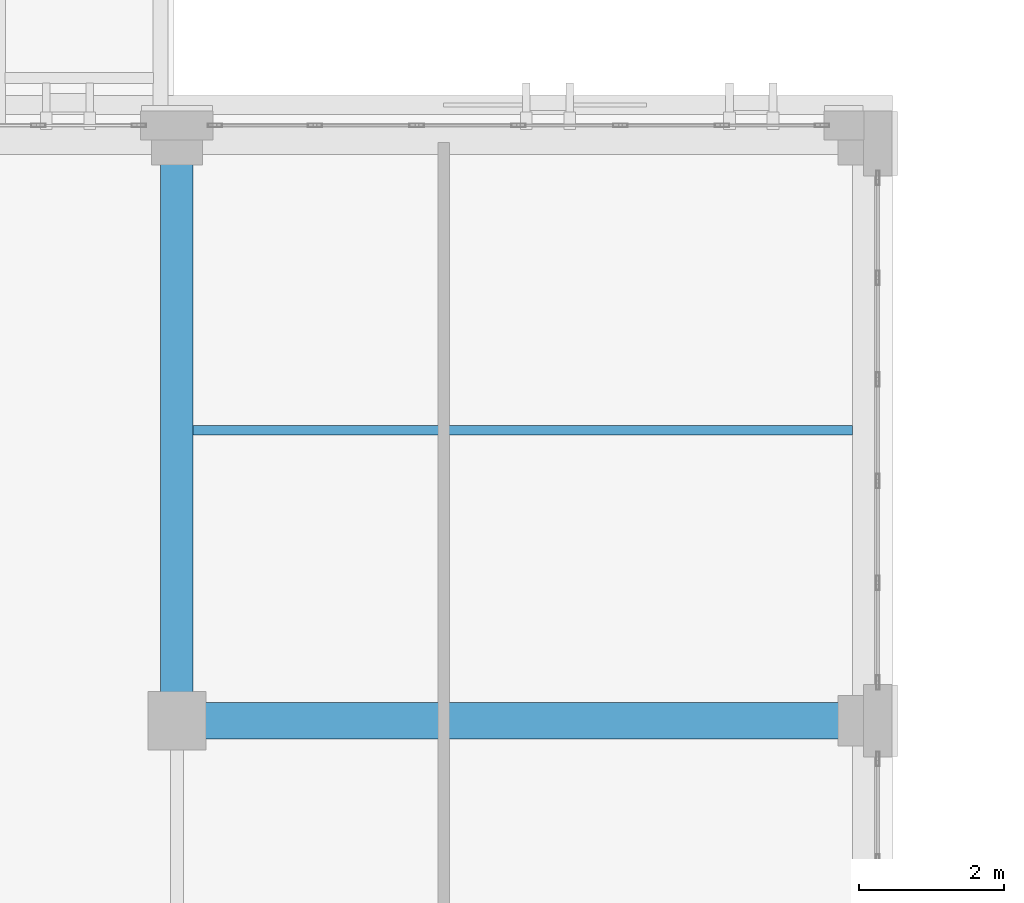
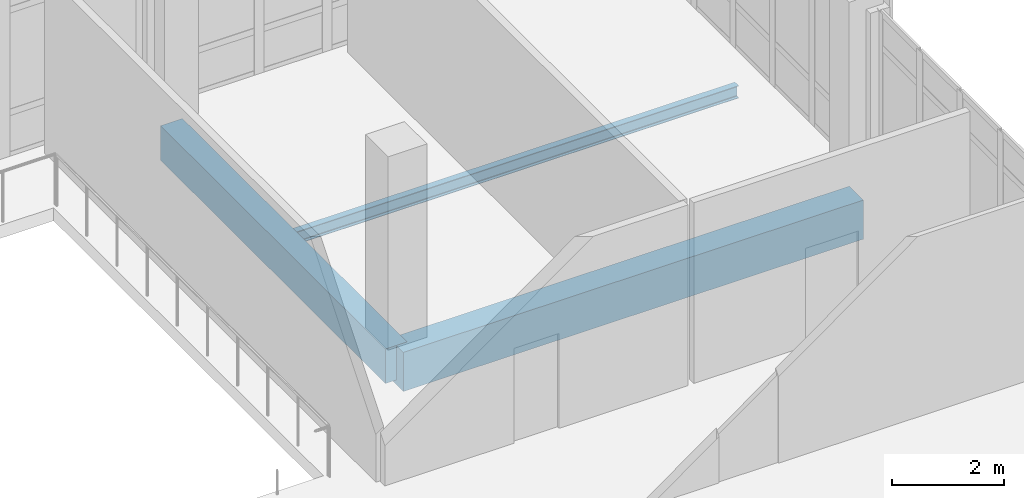
# One storey, part 49 of 158: 3 beams.
"""IFC4 building model written with IfcOpenShell, lengths in metres."""

from ifc_helpers import new_model, si_unit, direction, frame, origin, origin_2d, place, context, subcontext, project, spatial, rectangle, i_section, extrude, material, material_profile, profile_set, type_object, element, save


model = new_model("IFC4")

# Units and contexts
model_context = context("Model", 3, precision=1e-05, world=origin(), true_north=direction((0.0, 1.0)))
body_context = subcontext(model_context, "Body", "Model", "MODEL_VIEW")
ifc_project = project(units=[si_unit("LENGTHUNIT", "METRE"), si_unit("AREAUNIT", "SQUARE_METRE"), si_unit("VOLUMEUNIT", "CUBIC_METRE"), si_unit("PLANEANGLEUNIT", "RADIAN"), si_unit("MASSUNIT", "GRAM", prefix="KILO")], contexts=[model_context])

# Site, building, storey
site_placement = place(None, origin())
site = spatial("IfcSite", under=ifc_project, at=site_placement, CompositionType="ELEMENT")
building_placement = place(site_placement, origin())
building = spatial("IfcBuilding", under=site, at=building_placement, Name="Qalavern Law Courts", CompositionType="ELEMENT")
storey_placement = place(building_placement, frame((0.0, 0.0, 18.60009765625)))
storey = spatial("IfcBuildingStorey", under=building, at=storey_placement, Name="L04", CompositionType="ELEMENT", Elevation=18.60009765625)

# Beams
ifc_material_1 = material(Name="Concrete C40/50", Category="concrete")
ifc_material_profile_1 = material_profile(ifc_material_1, rectangle(XDim=0.449951171875, YDim=0.75, at=origin_2d()), Name="RC 450x750")
ifc_profile_set_1 = profile_set([ifc_material_profile_1], Name="Concrete C40/50")
beam_type_1 = type_object("IfcBeamType", Name="STR-BM-RC450x750", PredefinedType="BEAM", material=ifc_profile_set_1)
beam_1_placement = place(storey_placement, frame((91.345703125, 22.0, -0.655029296875), z_axis=(0.0, 1.0, 0.0), x_axis=(-1.0, 0.0, 0.0)))
element("IfcBeam", 1, at=beam_1_placement, inside=storey, type_object=beam_type_1, Name="V2 Y-beam 7-3 L04", PredefinedType="BEAM", context=body_context, shape_type="SweptSolid", body=[
    extrude(rectangle(XDim=0.449951171875, YDim=0.75, at=origin_2d()), origin(), (0.0, 0.0, 1.0), 8.0),
])
ifc_material_profile_2 = material_profile(ifc_material_1, rectangle(XDim=0.5, YDim=0.85009765625, at=origin_2d()), Name="RC 500x850")
ifc_profile_set_2 = profile_set([ifc_material_profile_2], Name="Concrete C40/50")
beam_type_2 = type_object("IfcBeamType", Name="STR-BM-RC500x850", PredefinedType="BEAM", material=ifc_profile_set_2)
beam_2_placement = place(storey_placement, frame((91.345703125, 22.0, -0.705078125), z_axis=(1.0, 0.0, 0.0), x_axis=(0.0, 1.0, 0.0)))
element("IfcBeam", 2, at=beam_2_placement, inside=storey, type_object=beam_type_2, Name="V2 X-beam 3-3 L04", PredefinedType="BEAM", context=body_context, shape_type="SweptSolid", body=[
    extrude(rectangle(XDim=0.5, YDim=0.85009765625, at=origin_2d()), origin(), (0.0, 0.0, 1.0), 9.454345703125),
])
ifc_material_2 = material(Name="Steel S355", Category="steel")
ifc_material_profile_3 = material_profile(ifc_material_2, i_section(OverallWidth=0.135009765625, OverallDepth=0.27001953125, WebThickness=0.006591796875, FlangeThickness=0.01025390625, FilletRadius=0.014892578125, at=origin_2d()), Name="IPE 270")
ifc_profile_set_3 = profile_set([ifc_material_profile_3], Name="Steel S355")
beam_type_3 = type_object("IfcBeamType", Name="STR-JST-IPE270", PredefinedType="JOIST", material=ifc_profile_set_3)
beam_3_placement = place(storey_placement, frame((91.568603515625, 26.0, -0.4150390625), z_axis=(1.0, 0.0, 0.0), x_axis=(0.0, 1.0, 0.0)))
element("IfcBeam", 3, at=beam_3_placement, inside=storey, type_object=beam_type_3, Name="V2 secondary joist 7.3.1 L04", PredefinedType="JOIST", context=body_context, shape_type="SweptSolid", body=[
    extrude(i_section(OverallWidth=0.135009765625, OverallDepth=0.27001953125, WebThickness=0.006591796875, FlangeThickness=0.01025390625, FilletRadius=0.014892578125, at=origin_2d()), origin(), (0.0, 0.0, 1.0), 9.08349609375),
])

save(model, "model.ifc")
